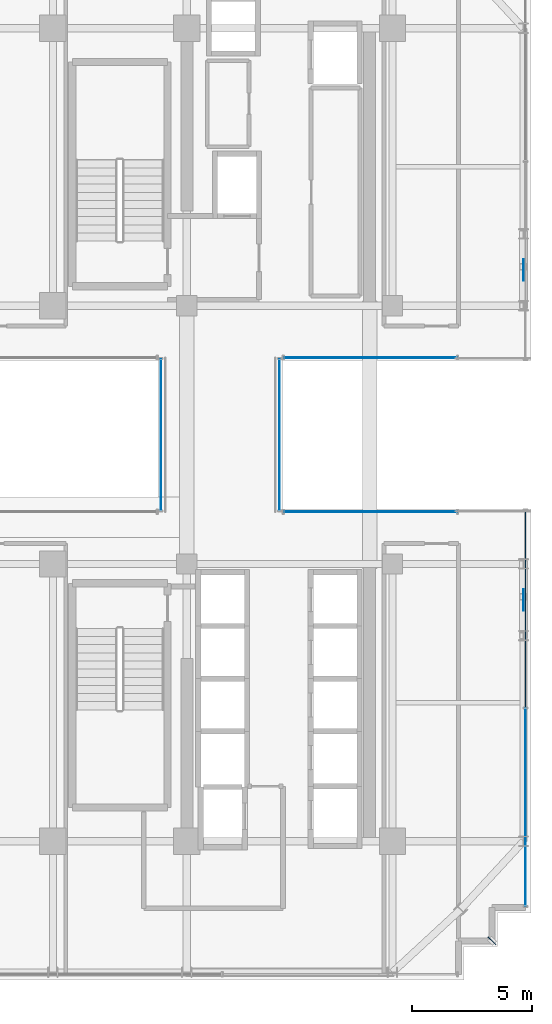
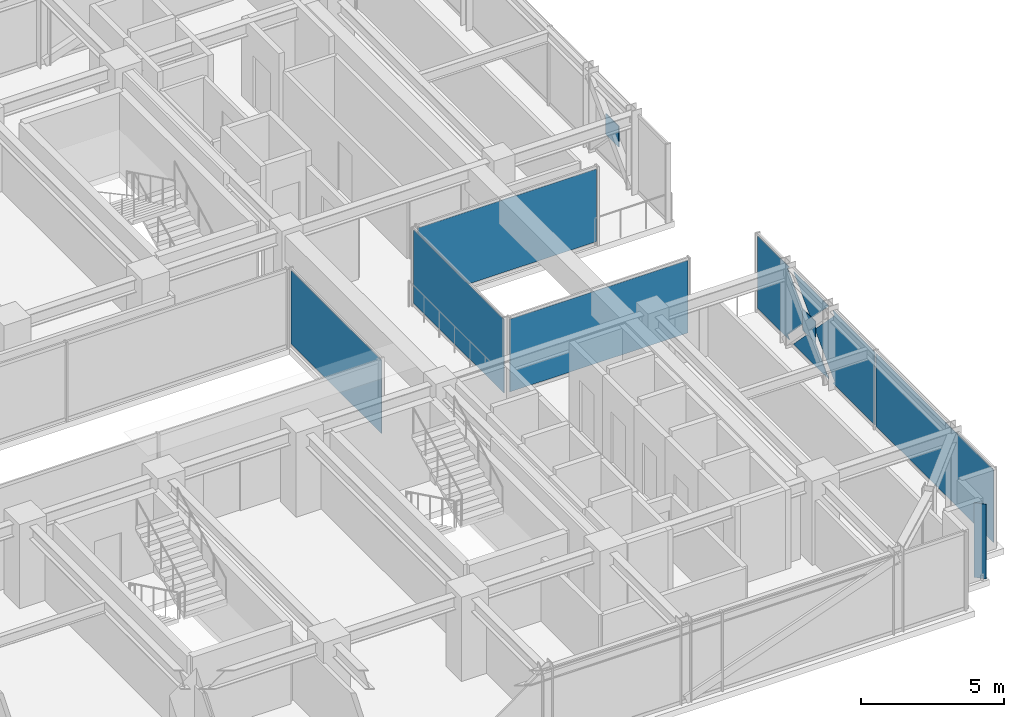
# One storey, part 32 of 43: 9 plates, 5 elements without a shape of their own.
"""IFC4 building model written with IfcOpenShell, lengths in metres."""

from ifc_helpers import new_model, si_unit, direction, frame, origin, origin_2d, place, context, subcontext, project, spatial, polyline, rectangle, outline, extrude, source, transform, mapped, material, layer, layer_set, type_object, element, aggregate, save


model = new_model("IFC4")

# Units and contexts
model_context = context("Model", 3, precision=1e-05, world=origin(), true_north=direction((0.0, 1.0)))
body_context = subcontext(model_context, "Body", "Model", "MODEL_VIEW")
ifc_project = project(units=[si_unit("LENGTHUNIT", "METRE"), si_unit("AREAUNIT", "SQUARE_METRE"), si_unit("VOLUMEUNIT", "CUBIC_METRE"), si_unit("PLANEANGLEUNIT", "RADIAN"), si_unit("MASSUNIT", "GRAM", prefix="KILO")], contexts=[model_context])

# Site, building, storey
site_placement = place(None, origin())
site = spatial("IfcSite", under=ifc_project, at=site_placement, CompositionType="ELEMENT")
building_placement = place(site_placement, origin())
building = spatial("IfcBuilding", under=site, at=building_placement, Name="Nahalor Promenade Grand Hotel", CompositionType="ELEMENT")
storey_placement = place(building_placement, frame((0.0, 0.0, 181.85009765625)))
storey = spatial("IfcBuildingStorey", under=building, at=storey_placement, Name="L46", CompositionType="ELEMENT", Elevation=181.85009765625)

# Curtain wall, plate
ifc_material_1 = material(Name="Anodised Bronze Aluminium EN AW-6063 T6", Category="aluminium")
curtain_wall_type_1 = type_object("IfcCurtainWallType", Name="CW3 Elliptical-Void Collar Unitised Curtain Wall", PredefinedType="USERDEFINED", material=ifc_material_1)
curtain_wall_1_placement = place(storey_placement, origin())
curtain_wall_1 = element("IfcCurtainWall", 1, at=curtain_wall_1_placement, inside=storey, type_object=curtain_wall_type_1, Name="L46 Curtain Wall CW-L46-E-1", ObjectType="UNITISED_CURTAIN_WALL", PredefinedType="USERDEFINED")
ifc_material_2 = material(Name="Low-E Laminated Solar Glass", Category="glass")
ifc_layer_1 = layer(ifc_material_2, 0.030029296875)
ifc_layer_set_1 = layer_set([ifc_layer_1], Name="Low-E Laminated Solar Glass")
plate_type_1 = type_object("IfcPlateType", Name="CWP3 High-Wind Laminated Bronze IGU 30mm", PredefinedType="CURTAIN_PANEL", material=ifc_layer_set_1)
plate_1_placement = place(storey_placement, frame((22.56005859375, -7.282470703125, 0.1396484375), z_axis=(0.0, 0.0, 1.0), x_axis=(0.0, 1.0, 0.0)))
plate_1 = element("IfcPlate", 2, at=plate_1_placement, type_object=plate_type_1, Name="CW-L46-E-1 Glazing Panel 1-0", PredefinedType="CURTAIN_PANEL", context=body_context, shape_type="SweptSolid", body=[
    extrude(outline(polyline([(-4.112548828125, 3.110107421875), (-4.112548828125, 0.0), (-1.14306640625, 0.0), (-1.2783203125, 0.13134765625), (0.103759765625, 1.554931640625), (-1.2783203125, 2.978515625), (-1.14306640625, 3.110107421875), (-4.112548828125, 3.110107421875)])), frame((0.0, 0.01513671875, 0.0), z_axis=(0.0, -1.0, 0.0), x_axis=(1.0, 0.0, 0.0)), (0.0, 0.0, 1.0), 0.030029296875),
    extrude(outline(polyline([(0.382568359375, 1.267822265625), (-0.848388671875, 0.0), (1.613525390625, 0.0), (0.382568359375, 1.267822265625)])), frame((0.0, 0.01513671875, 0.0), z_axis=(0.0, -1.0, 0.0), x_axis=(1.0, 0.0, 0.0)), (0.0, 0.0, 1.0), 0.030029296875),
    extrude(outline(polyline([(0.382568359375, 1.842041015625), (1.613525390625, 3.110107421875), (-0.848388671875, 3.110107421875), (0.382568359375, 1.842041015625)])), frame((0.0, 0.01513671875, 0.0), z_axis=(0.0, -1.0, 0.0), x_axis=(1.0, 0.0, 0.0)), (0.0, 0.0, 1.0), 0.030029296875),
    extrude(outline(polyline([(4.112548828125, 0.0), (4.112548828125, 3.110107421875), (1.908203125, 3.110107421875), (2.04345703125, 2.978515625), (0.661376953125, 1.554931640625), (2.04345703125, 0.13134765625), (1.908203125, 0.0), (4.112548828125, 0.0)])), frame((0.0, 0.01513671875, 0.0), z_axis=(0.0, -1.0, 0.0), x_axis=(1.0, 0.0, 0.0)), (0.0, 0.0, 1.0), 0.030029296875),
])

# Plates
ifc_material_3 = material(Name="Steel S355J2", Category="steel")
ifc_layer_2 = layer(ifc_material_3, 0.035888671875)
ifc_layer_set_2 = layer_set([ifc_layer_2], Name="Steel S355J2")
plate_type_2 = type_object("IfcPlateType", Name="Plate-CrossGusset-36", PredefinedType="USERDEFINED", material=ifc_layer_set_2)
shared_shape_1 = source(origin(), body_context, "Body", "SweptSolid", [
    extrude(rectangle(XDim=0.89990234375, YDim=0.035888671875, at=origin_2d()), origin(), (0.0, 0.0, 1.0), 0.89990234375),
])
for number, where, z_axis, x_axis, name in (
    (3, (22.47998046875, -6.89990234375, 1.244873046875), (0.0, 0.0, 1.0), (0.0, 1.0, 0.0), "PL-L46-VXX-E0"),
    (4, (22.47998046875, 6.89990234375, 1.244873046875), (0.0, 0.0, 1.0), (0.0, 1.0, 0.0), "PL-L46-VXX-E1"),
):
    element("IfcPlate", number, at=place(storey_placement, frame(where, z_axis=z_axis, x_axis=x_axis)), inside=storey, type_object=plate_type_2, Name=name, ObjectType="GUSSET_PLATE", PredefinedType="USERDEFINED", context=body_context, shape_type="MappedRepresentation", body=[
        mapped(shared_shape_1, transform((0.0, 0.0, 0.0), scale=1.0)),
    ])
ifc_layer_3 = layer(ifc_material_1, 0.02001953125)
ifc_layer_set_3 = layer_set([ifc_layer_3], Name="Anodised Bronze Aluminium EN AW-6063 T6")
plate_type_3 = type_object("IfcPlateType", Name="Plate-CornerFin-20", PredefinedType="SHEET", material=ifc_layer_set_3)
shared_shape_2 = source(origin(), body_context, "Body", "SweptSolid", [
    extrude(rectangle(XDim=0.449951171875, YDim=0.02001953125, at=origin_2d()), origin(), (0.0, 0.0, 1.0), 3.199951171875),
])
plate_2_placement = place(storey_placement, frame((21.159912109375, -21.159912109375, 0.0), z_axis=(0.0, 0.0, 1.0), x_axis=(-0.707106781187, 0.707106781187, 0.0)))
element("IfcPlate", 5, at=plate_2_placement, inside=storey, type_object=plate_type_3, Name="FIN-L46-SE", PredefinedType="SHEET", context=body_context, shape_type="MappedRepresentation", body=[
    mapped(shared_shape_2, transform((0.0, 0.0, 0.0), scale=1.0)),
])

# Curtain wall, plate
curtain_wall_2_placement = place(storey_placement, origin())
curtain_wall_2 = element("IfcCurtainWall", 6, at=curtain_wall_2_placement, inside=storey, type_object=curtain_wall_type_1, Name="L46 Curtain Wall CW-L46-VOID-ES1", ObjectType="UNITISED_CURTAIN_WALL", PredefinedType="USERDEFINED")
shared_shape_3 = source(origin(), body_context, "Body", "SweptSolid", [
    extrude(rectangle(XDim=7.219970703125, YDim=0.030029296875, at=origin_2d()), origin(), (0.0, 0.0, 1.0), 3.110107421875),
])
plate_3_placement = place(storey_placement, frame((16.080078125, -3.219970703125, 0.1396484375), z_axis=(0.0, 0.0, 1.0), x_axis=(1.0, 0.0, 0.0)))
plate_3 = element("IfcPlate", 7, at=plate_3_placement, type_object=plate_type_1, Name="CW-L46-VOID-ES1 Glazing Panel 0-0", PredefinedType="CURTAIN_PANEL", context=body_context, shape_type="MappedRepresentation", body=[
    mapped(shared_shape_3, transform((0.0, 0.0, 0.0), scale=1.0)),
])
aggregate(curtain_wall_2, [plate_3])

curtain_wall_3_placement = place(storey_placement, origin())
curtain_wall_3 = element("IfcCurtainWall", 8, at=curtain_wall_3_placement, inside=storey, type_object=curtain_wall_type_1, Name="L46 Curtain Wall CW-L46-VOID-EN1", ObjectType="UNITISED_CURTAIN_WALL", PredefinedType="USERDEFINED")
plate_4_placement = place(storey_placement, frame((16.080078125, 3.219970703125, 0.1396484375), z_axis=(0.0, 0.0, 1.0), x_axis=(1.0, 0.0, 0.0)))
plate_4 = element("IfcPlate", 9, at=plate_4_placement, type_object=plate_type_1, Name="CW-L46-VOID-EN1 Glazing Panel 0-0", PredefinedType="CURTAIN_PANEL", context=body_context, shape_type="MappedRepresentation", body=[
    mapped(shared_shape_3, transform((0.0, 0.0, 0.0), scale=1.0)),
])
aggregate(curtain_wall_3, [plate_4])

# Plate
shared_shape_4 = source(origin(), body_context, "Body", "SweptSolid", [
    extrude(rectangle(XDim=8.22509765625, YDim=0.030029296875, at=origin_2d()), origin(), (0.0, 0.0, 1.0), 3.110107421875),
])
plate_5_placement = place(storey_placement, frame((22.56005859375, -15.577392578125, 0.1396484375), z_axis=(0.0, 0.0, 1.0), x_axis=(0.0, 1.0, 0.0)))
plate_5 = element("IfcPlate", 10, at=plate_5_placement, type_object=plate_type_1, Name="CW-L46-E-1 Glazing Panel 0-0", PredefinedType="CURTAIN_PANEL", context=body_context, shape_type="MappedRepresentation", body=[
    mapped(shared_shape_4, transform((0.0, 0.0, 0.0), scale=1.0)),
])

aggregate(curtain_wall_1, [plate_5, plate_1])

# Curtain wall, plate
curtain_wall_type_2 = type_object("IfcCurtainWallType", Name="CW4 Low-Iron Sky-Gallery Bridge Curtain Wall", PredefinedType="USERDEFINED", material=ifc_material_1)
curtain_wall_4_placement = place(storey_placement, origin())
curtain_wall_4 = element("IfcCurtainWall", 11, at=curtain_wall_4_placement, inside=storey, type_object=curtain_wall_type_2, Name="L46 Curtain Wall CW-L46-BRG-W", ObjectType="UNITISED_CURTAIN_WALL", PredefinedType="USERDEFINED")
ifc_layer_4 = layer(ifc_material_2, 0.02587890625)
ifc_layer_set_4 = layer_set([ifc_layer_4], Name="Low-E Laminated Solar Glass")
plate_type_4 = type_object("IfcPlateType", Name="CWP4 Ultra-Clear Low-Iron Bridge IGU 26mm", PredefinedType="CURTAIN_PANEL", material=ifc_layer_set_4)
shared_shape_5 = source(origin(), body_context, "Body", "SweptSolid", [
    extrude(rectangle(XDim=6.320068359375, YDim=0.02587890625, at=origin_2d()), origin(), (0.0, 0.0, 1.0), 3.14990234375),
])
plate_6_placement = place(storey_placement, frame((7.320068359375, 0.0, 0.119873046875), z_axis=(0.0, 0.0, 1.0), x_axis=(0.0, 1.0, 0.0)))
plate_6 = element("IfcPlate", 12, at=plate_6_placement, type_object=plate_type_4, Name="CW-L46-BRG-W Glazing Panel 0-0", PredefinedType="CURTAIN_PANEL", context=body_context, shape_type="MappedRepresentation", body=[
    mapped(shared_shape_5, transform((0.0, 0.0, 0.0), scale=1.0)),
])
aggregate(curtain_wall_4, [plate_6])

curtain_wall_5_placement = place(storey_placement, origin())
curtain_wall_5 = element("IfcCurtainWall", 13, at=curtain_wall_5_placement, inside=storey, type_object=curtain_wall_type_2, Name="L46 Curtain Wall CW-L46-BRG-E", ObjectType="UNITISED_CURTAIN_WALL", PredefinedType="USERDEFINED")
plate_7_placement = place(storey_placement, frame((12.280029296875, 0.0, 0.119873046875), z_axis=(0.0, 0.0, 1.0), x_axis=(0.0, 1.0, 0.0)))
plate_7 = element("IfcPlate", 14, at=plate_7_placement, type_object=plate_type_4, Name="CW-L46-BRG-E Glazing Panel 0-0", PredefinedType="CURTAIN_PANEL", context=body_context, shape_type="MappedRepresentation", body=[
    mapped(shared_shape_5, transform((0.0, 0.0, 0.0), scale=1.0)),
])
aggregate(curtain_wall_5, [plate_7])

save(model, "model.ifc")
